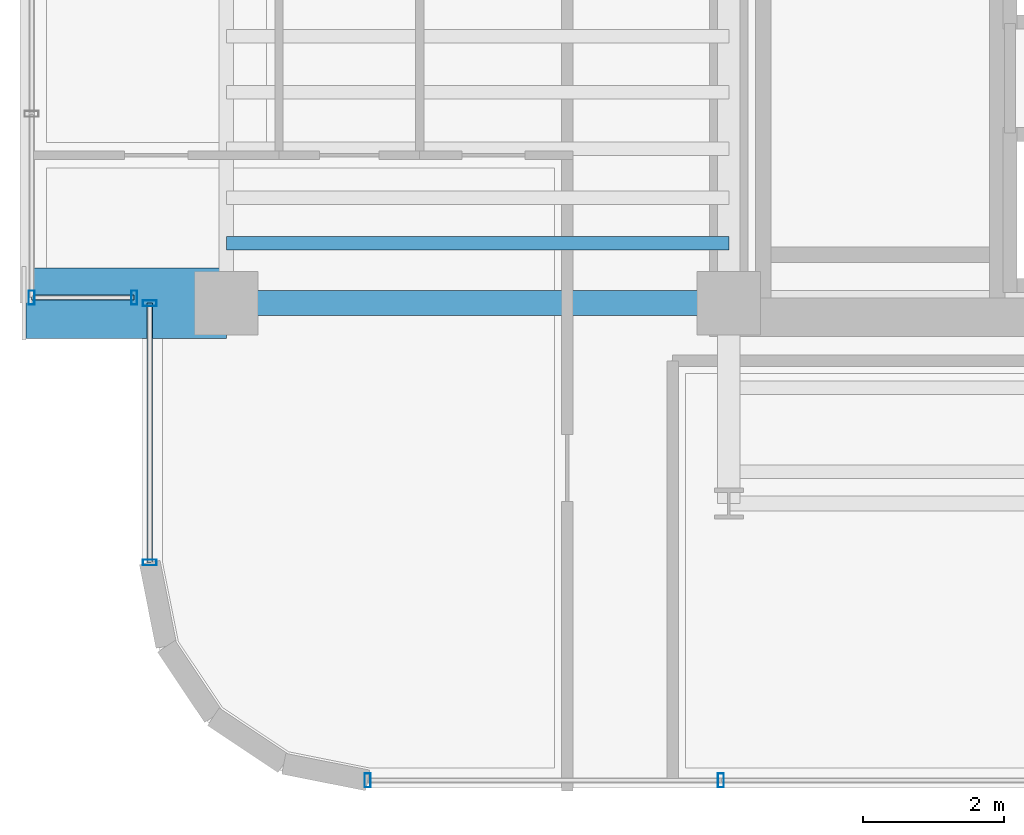
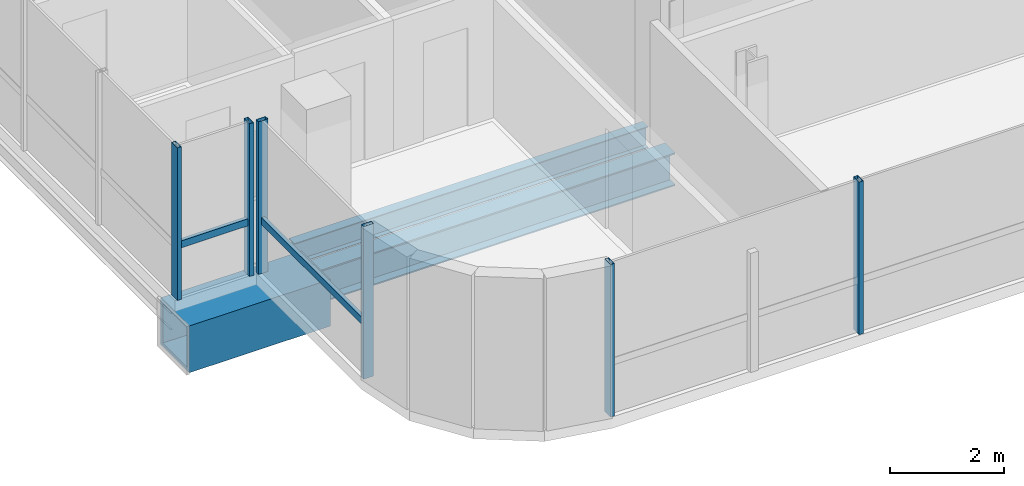
# One storey, part 2 of 24: 8 members, 3 beams, 3 elements without a shape of their own.
"""IFC4 building model written with IfcOpenShell, lengths in metres."""

from ifc_helpers import new_model, si_unit, direction, frame, origin, origin_2d, place, context, subcontext, project, spatial, hollow_rectangle, i_section, extrude, source, transform, mapped, material, material_profile, profile_set, type_object, element, aggregate, save


model = new_model("IFC4")

# Units and contexts
model_context = context("Model", 3, precision=1e-05, world=origin(), true_north=direction((0.0, 1.0)))
body_context = subcontext(model_context, "Body", "Model", "MODEL_VIEW")
ifc_project = project(units=[si_unit("LENGTHUNIT", "METRE"), si_unit("AREAUNIT", "SQUARE_METRE"), si_unit("VOLUMEUNIT", "CUBIC_METRE"), si_unit("PLANEANGLEUNIT", "RADIAN"), si_unit("MASSUNIT", "GRAM", prefix="KILO")], contexts=[model_context])

# Site, building, storey
site_placement = place(None, origin())
site = spatial("IfcSite", under=ifc_project, at=site_placement, CompositionType="ELEMENT")
building_placement = place(site_placement, origin())
building = spatial("IfcBuilding", under=site, at=building_placement, Name="Valdorenza Pilgrim Sanctuary Tower", CompositionType="ELEMENT")
storey_placement = place(building_placement, frame((0.0, 0.0, 205.5)))
storey = spatial("IfcBuildingStorey", under=building, at=storey_placement, Name="L52", CompositionType="ELEMENT", Elevation=205.5)

# Beams
ifc_material_1 = material(Name="Steel ASTM A992 Grade 50", Category="steel")
ifc_material_profile_1 = material_profile(ifc_material_1, i_section(OverallWidth=0.19091796875, OverallDepth=0.45703125, WebThickness=0.009033203125, FlangeThickness=0.014404296875, at=origin_2d()), Name="W18X50")
ifc_profile_set_1 = profile_set([ifc_material_profile_1], Name="Steel ASTM A992 Grade 50")
beam_type_1 = type_object("IfcBeamType", Name="STR-BM-JST-W18B", PredefinedType="JOIST", material=ifc_profile_set_1)
shared_shape_1 = source(origin(), body_context, "Body", "SweptSolid", [
    extrude(i_section(OverallWidth=0.19091796875, OverallDepth=0.45703125, WebThickness=0.009033203125, FlangeThickness=0.014404296875, at=origin_2d()), origin(), (0.0, 0.0, 1.0), 7.150146484375),
])
beam_1_placement = place(storey_placement, frame((-29.800048828125, -9.75, -0.468505859375), z_axis=(1.0, 0.0, 0.0), x_axis=(0.0, 1.0, 0.0)))
element("IfcBeam", 1, at=beam_1_placement, inside=storey, type_object=beam_type_1, Name="L52 Composite Floor Joist JST-WA-1", PredefinedType="JOIST", context=body_context, shape_type="MappedRepresentation", body=[
    mapped(shared_shape_1, transform((0.0, 0.0, 0.0), x_axis=(1.0, 0.0, 0.0), y_axis=(0.0, 1.0, 0.0), z_axis=(0.0, 0.0, 1.0), scale=1.0)),
])
ifc_material_2 = material(Name="Steel ASTM A572 Grade 42", Category="steel")
ifc_material_profile_2 = material_profile(ifc_material_2, hollow_rectangle(XDim=1.0, YDim=1.0, WallThickness=0.080078125, at=origin_2d()), Name="BOX 1000x1000x80")
ifc_profile_set_2 = profile_set([ifc_material_profile_2], Name="Steel ASTM A572 Grade 42")
beam_type_2 = type_object("IfcBeamType", Name="STR-BM-PROW-CANT", PredefinedType="BEAM", material=ifc_profile_set_2)
shared_shape_2 = source(origin(), body_context, "Body", "SweptSolid", [
    extrude(hollow_rectangle(XDim=1.0, YDim=1.0, WallThickness=0.080078125, at=origin_2d()), origin(), (0.0, 0.0, 1.0), 2.849853515625),
])
beam_2_placement = place(storey_placement, frame((-29.800048828125, -10.60009765625, -0.739990234375), z_axis=(-1.0, 0.0, 0.0), x_axis=(0.0, -1.0, 0.0)))
element("IfcBeam", 2, at=beam_2_placement, inside=storey, type_object=beam_type_2, Name="L52 Glass Box Cantilever Beam BOX-WA-L52-CT-S", PredefinedType="BEAM", context=body_context, shape_type="MappedRepresentation", body=[
    mapped(shared_shape_2, transform((0.0, 0.0, 0.0), x_axis=(1.0, 0.0, 0.0), y_axis=(0.0, 1.0, 0.0), z_axis=(0.0, 0.0, 1.0), scale=1.0)),
])
ifc_material_profile_3 = material_profile(ifc_material_1, i_section(OverallWidth=0.35595703125, OverallDepth=0.700927734375, WebThickness=0.016845703125, FlangeThickness=0.02734375, at=origin_2d()), Name="W27X161")
ifc_profile_set_3 = profile_set([ifc_material_profile_3], Name="Steel ASTM A992 Grade 50")
beam_type_3 = type_object("IfcBeamType", Name="STR-BM-GRD-W27", PredefinedType="BEAM", material=ifc_profile_set_3)
shared_shape_3 = source(origin(), body_context, "Body", "SweptSolid", [
    extrude(i_section(OverallWidth=0.35595703125, OverallDepth=0.700927734375, WebThickness=0.016845703125, FlangeThickness=0.02734375, at=origin_2d()), origin(), (0.0, 0.0, 1.0), 7.150146484375),
])
beam_3_placement = place(storey_placement, frame((-29.800048828125, -10.60009765625, -0.590576171875), z_axis=(1.0, 0.0, 0.0), x_axis=(0.0, 1.0, 0.0)))
element("IfcBeam", 3, at=beam_3_placement, inside=storey, type_object=beam_type_3, Name="L52 Floor Girder WA-XW-S1", PredefinedType="BEAM", context=body_context, shape_type="MappedRepresentation", body=[
    mapped(shared_shape_3, transform((0.0, 0.0, 0.0), x_axis=(1.0, 0.0, 0.0), y_axis=(0.0, 1.0, 0.0), z_axis=(0.0, 0.0, 1.0), scale=1.0)),
])

# Curtain wall, member
ifc_material_3 = material(Name="Curtain-wall IGU glazing", Category="glass")
curtain_wall_type = type_object("IfcCurtainWallType", Name="CW-SYS-02", PredefinedType="NOTDEFINED", material=ifc_material_3)
curtain_wall_1_placement = place(storey_placement, origin())
curtain_wall_1 = element("IfcCurtainWall", 4, at=curtain_wall_1_placement, inside=storey, type_object=curtain_wall_type, Name="L52 Curtain Wall CW-L52-BOX-WA-L52-S", PredefinedType="NOTDEFINED")
ifc_material_4 = material(Name="Anodised aluminium AW-6060", Category="aluminium")
ifc_material_profile_4 = material_profile(ifc_material_4, hollow_rectangle(XDim=0.074951171875, YDim=0.14990234375, WallThickness=0.00390625, at=origin_2d()), Name="ALU-T 150x75x4")
ifc_profile_set_4 = profile_set([ifc_material_profile_4], Name="Anodised aluminium AW-6060")
member_type_1 = type_object("IfcMemberType", Name="CW-TRN-02", PredefinedType="USERDEFINED", material=ifc_profile_set_4)
shared_shape_4 = source(origin(), body_context, "Body", "SweptSolid", [
    extrude(hollow_rectangle(XDim=0.074951171875, YDim=0.14990234375, WallThickness=0.00390625, at=origin_2d()), origin(), (0.0, 0.0, 1.0), 1.4599609375),
])
member_1_placement = place(storey_placement, frame((-31.110107421875, -10.52001953125, 1.1201171875), z_axis=(-1.0, 0.0, 0.0), x_axis=(0.0, -1.0, 0.0)))
member_1 = element("IfcMember", 5, at=member_1_placement, type_object=member_type_1, Name="CW-L52-BOX-WA-L52-S Transom 1", ObjectType="TRANSOM", PredefinedType="USERDEFINED", context=body_context, shape_type="MappedRepresentation", body=[
    mapped(shared_shape_4, transform((0.0, 0.0, 0.0), x_axis=(1.0, 0.0, 0.0), y_axis=(0.0, 1.0, 0.0), z_axis=(0.0, 0.0, 1.0), scale=1.0)),
])

# Curtain wall, members
curtain_wall_2_placement = place(storey_placement, origin())
curtain_wall_2 = element("IfcCurtainWall", 6, at=curtain_wall_2_placement, inside=storey, type_object=curtain_wall_type, Name="L52 Curtain Wall CW-L52-1-1S1", PredefinedType="NOTDEFINED")
shared_shape_5 = source(origin(), body_context, "Body", "SweptSolid", [
    extrude(hollow_rectangle(XDim=0.074951171875, YDim=0.14990234375, WallThickness=0.00390625, at=origin_2d()), origin(), (0.0, 0.0, 1.0), 3.689208984375),
])
member_2_placement = place(storey_placement, frame((-30.889892578125, -14.289306640625, 1.1201171875), z_axis=(0.0, 1.0, 0.0), x_axis=(-1.0, 0.0, 0.0)))
member_2 = element("IfcMember", 7, at=member_2_placement, type_object=member_type_1, Name="CW-L52-1-1S1 Transom 1", ObjectType="TRANSOM", PredefinedType="USERDEFINED", context=body_context, shape_type="MappedRepresentation", body=[
    mapped(shared_shape_5, transform((0.0, 0.0, 0.0), x_axis=(1.0, 0.0, 0.0), y_axis=(0.0, 1.0, 0.0), z_axis=(0.0, 0.0, 1.0), scale=1.0)),
])
ifc_material_profile_5 = material_profile(ifc_material_4, hollow_rectangle(XDim=0.0849609375, YDim=0.199951171875, WallThickness=0.0048828125, at=origin_2d()), Name="ALU-M 200x85x5")
ifc_profile_set_5 = profile_set([ifc_material_profile_5], Name="Anodised aluminium AW-6060")
member_type_2 = type_object("IfcMemberType", Name="CW-MUL-02", PredefinedType="MULLION", material=ifc_profile_set_5)
shared_shape_6 = source(origin(), body_context, "Body", "SweptSolid", [
    extrude(hollow_rectangle(XDim=0.0849609375, YDim=0.199951171875, WallThickness=0.0048828125, at=origin_2d()), origin(), (0.0, 0.0, 1.0), 3.260009765625),
])
member_3_placement = place(storey_placement, frame((-30.889892578125, -14.289306640625, 0.0), z_axis=(0.0, 0.0, 1.0), x_axis=(0.0, 1.0, 0.0)))
member_3 = element("IfcMember", 8, at=member_3_placement, type_object=member_type_2, Name="CW-L52-1-1S1 Mullion 1", PredefinedType="MULLION", context=body_context, shape_type="MappedRepresentation", body=[
    mapped(shared_shape_6, transform((0.0, 0.0, 0.0), x_axis=(1.0, 0.0, 0.0), y_axis=(0.0, 1.0, 0.0), z_axis=(0.0, 0.0, 1.0), scale=1.0)),
])
member_4_placement = place(storey_placement, frame((-30.889892578125, -10.60009765625, 0.0), z_axis=(0.0, 0.0, 1.0), x_axis=(0.0, 1.0, 0.0)))
member_4 = element("IfcMember", 9, at=member_4_placement, type_object=member_type_2, Name="CW-L52-1-1S1 Mullion 2", PredefinedType="MULLION", context=body_context, shape_type="MappedRepresentation", body=[
    mapped(shared_shape_6, transform((0.0, 0.0, 0.0), x_axis=(1.0, 0.0, 0.0), y_axis=(0.0, 1.0, 0.0), z_axis=(0.0, 0.0, 1.0), scale=1.0)),
])
aggregate(curtain_wall_2, [member_3, member_4, member_2])

curtain_wall_3_placement = place(storey_placement, origin())
curtain_wall_3 = element("IfcCurtainWall", 10, at=curtain_wall_3_placement, inside=storey, type_object=curtain_wall_type, Name="L52 Curtain Wall CW-L52-1-26", PredefinedType="NOTDEFINED")
member_5_placement = place(storey_placement, frame((-22.76318359375, -17.389892578125, 0.0), z_axis=(0.0, 0.0, 1.0), x_axis=(-1.0, 0.0, 0.0)))
member_5 = element("IfcMember", 11, at=member_5_placement, type_object=member_type_2, Name="CW-L52-1-26 Mullion 3", PredefinedType="MULLION", context=body_context, shape_type="MappedRepresentation", body=[
    mapped(shared_shape_6, transform((0.0, 0.0, 0.0), x_axis=(1.0, 0.0, 0.0), y_axis=(0.0, 1.0, 0.0), z_axis=(0.0, 0.0, 1.0), scale=1.0)),
])
member_6_placement = place(storey_placement, frame((-27.789306640625, -17.389892578125, 0.0), z_axis=(0.0, 0.0, 1.0), x_axis=(-1.0, 0.0, 0.0)))
member_6 = element("IfcMember", 12, at=member_6_placement, type_object=member_type_2, Name="CW-L52-1-26 Mullion 4", PredefinedType="MULLION", context=body_context, shape_type="MappedRepresentation", body=[
    mapped(shared_shape_6, transform((0.0, 0.0, 0.0), x_axis=(1.0, 0.0, 0.0), y_axis=(0.0, 1.0, 0.0), z_axis=(0.0, 0.0, 1.0), scale=1.0)),
])
aggregate(curtain_wall_3, [member_5, member_6])

# Member
member_7_placement = place(storey_placement, frame((-31.110107421875, -10.52001953125, 0.0), z_axis=(0.0, 0.0, 1.0), x_axis=(-1.0, 0.0, 0.0)))
member_7 = element("IfcMember", 13, at=member_7_placement, type_object=member_type_2, Name="CW-L52-BOX-WA-L52-S Mullion 1", PredefinedType="MULLION", context=body_context, shape_type="MappedRepresentation", body=[
    mapped(shared_shape_6, transform((0.0, 0.0, 0.0), x_axis=(1.0, 0.0, 0.0), y_axis=(0.0, 1.0, 0.0), z_axis=(0.0, 0.0, 1.0), scale=1.0)),
])

member_8_placement = place(storey_placement, frame((-32.570068359375, -10.52001953125, 0.0), z_axis=(0.0, 0.0, 1.0), x_axis=(-1.0, 0.0, 0.0)))
member_8 = element("IfcMember", 14, at=member_8_placement, type_object=member_type_2, Name="CW-L52-BOX-WA-L52-S Mullion 2", PredefinedType="MULLION", context=body_context, shape_type="MappedRepresentation", body=[
    mapped(shared_shape_6, transform((0.0, 0.0, 0.0), x_axis=(1.0, 0.0, 0.0), y_axis=(0.0, 1.0, 0.0), z_axis=(0.0, 0.0, 1.0), scale=1.0)),
])

aggregate(curtain_wall_1, [member_7, member_8, member_1])

save(model, "model.ifc")
